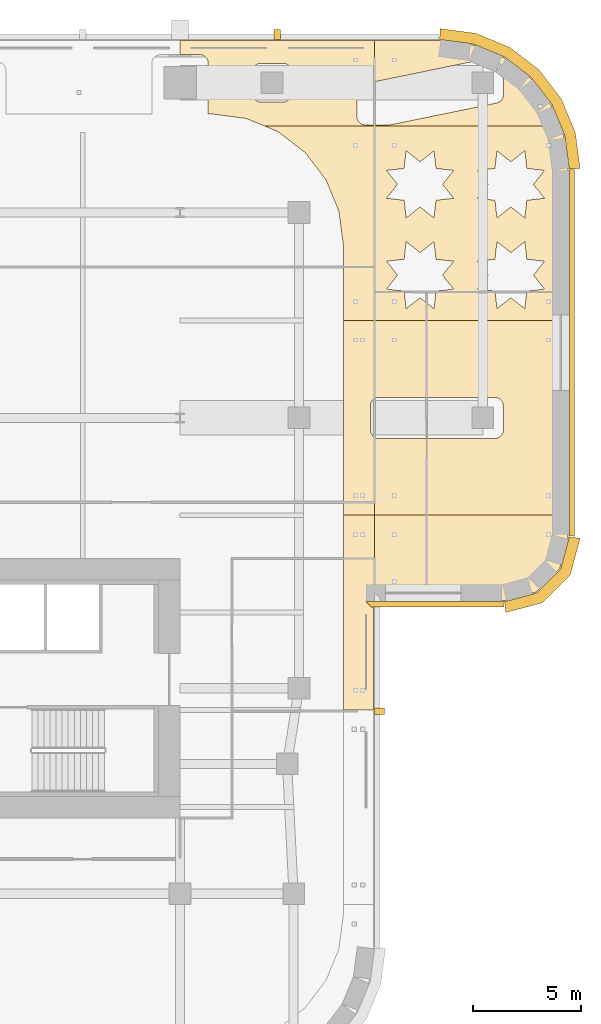
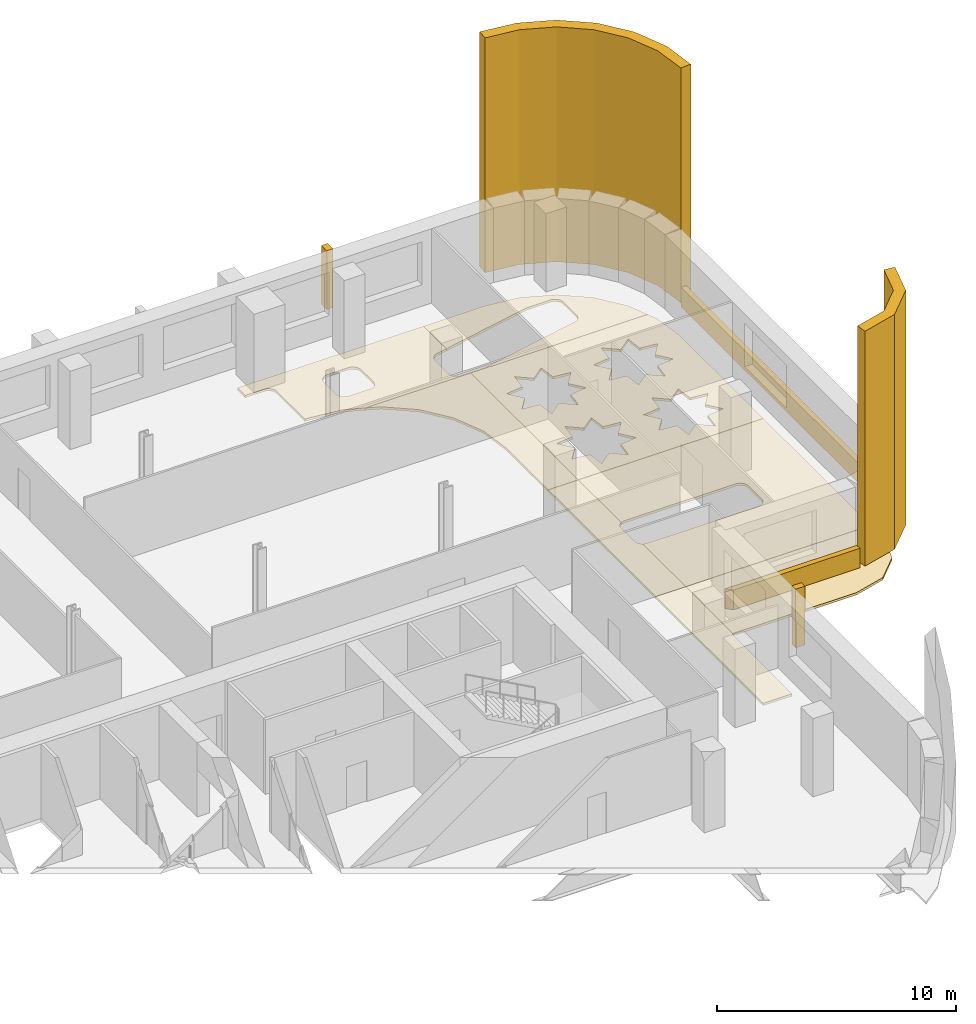
# One storey, part 13 of 13: 14 coverings.
"""IFC4 building model written with IfcOpenShell, lengths in metres."""

from ifc_helpers import new_model, si_unit, direction, frame, origin, place, context, subcontext, project, spatial, polyline, outline, extrude, material, layer, layer_set, type_object, element, save


model = new_model("IFC4")

# Units and contexts
model_context = context("Model", 3, precision=1e-05, world=origin(), true_north=direction((0.0, 1.0)))
body_context = subcontext(model_context, "Body", "Model", "MODEL_VIEW")
ifc_project = project(units=[si_unit("LENGTHUNIT", "METRE"), si_unit("AREAUNIT", "SQUARE_METRE"), si_unit("VOLUMEUNIT", "CUBIC_METRE"), si_unit("PLANEANGLEUNIT", "RADIAN"), si_unit("MASSUNIT", "GRAM", prefix="KILO")], contexts=[model_context])

# Site, building, storey
site_placement = place(None, origin())
site = spatial("IfcSite", under=ifc_project, at=site_placement, CompositionType="ELEMENT")
building_placement = place(site_placement, origin())
building = spatial("IfcBuilding", under=site, at=building_placement, Name="Zellij Exchange Tower", CompositionType="ELEMENT")
storey_placement = place(building_placement, frame((0.0, 0.0, 108.5)))
storey = spatial("IfcBuildingStorey", under=building, at=storey_placement, Name="L23", CompositionType="ELEMENT", Elevation=108.5)

# Coverings
ifc_material_1 = material(Name="Limestone cladding", Category="masonry")
ifc_layer_1 = layer(ifc_material_1, 0.5)
ifc_layer_set_1 = layer_set([ifc_layer_1], Name="Limestone cladding")
covering_type_1 = type_object("IfcCoveringType", Name="ENV-CV12 Stone corner pier 500", PredefinedType="CLADDING", material=ifc_layer_set_1)
covering_1_placement = place(storey_placement, origin())
element("IfcCovering", 1, at=covering_1_placement, inside=storey, type_object=covering_type_1, Name="Stone corner pier", PredefinedType="CLADDING", context=body_context, shape_type="SweptSolid", body=[
    extrude(outline(polyline([(42.0, -4.0), (43.5, -3.59814453125), (44.59814453125, -2.5), (45.0, -1.0), (45.5, -1.06591796875), (45.04638671875, -2.7587890625), (43.7587890625, -4.04638671875), (42.06591796875, -4.5), (42.0, -4.0)])), origin(), (0.0, 0.0, 1.0), 12.0),
])
covering_2_placement = place(storey_placement, origin())
element("IfcCovering", 2, at=covering_2_placement, inside=storey, type_object=covering_type_1, Name="Stone corner pier", PredefinedType="CLADDING", context=body_context, shape_type="SweptSolid", body=[
    extrude(outline(polyline([(45.0, 16.0), (44.795654296875, 17.552978515625), (44.1962890625, 19.0), (43.24267578125, 20.24267578125), (42.0, 21.1962890625), (40.552978515625, 21.795654296875), (39.0, 22.0), (39.03271484375, 22.5), (40.683349609375, 22.28271484375), (42.252197265625, 21.6328125), (43.59912109375, 20.59912109375), (44.6328125, 19.252197265625), (45.28271484375, 17.683349609375), (45.5, 16.03271484375), (45.0, 16.0)])), origin(), (0.0, 0.0, 1.0), 12.0),
])
covering_type_2 = type_object("IfcCoveringType", Name="ENV-CV7 Stone pier 300x450", PredefinedType="CLADDING", material=ifc_material_1)
covering_3_placement = place(storey_placement, frame((0.0, 0.0, 0.800048828125)))
element("IfcCovering", 3, at=covering_3_placement, inside=storey, type_object=covering_type_2, Name="Stone pier", PredefinedType="CLADDING", context=body_context, shape_type="SweptSolid", body=[
    extrude(outline(polyline([(36.0, -9.2080078125), (36.0, -8.907958984375), (36.449951171875, -8.907958984375), (36.449951171875, -9.2080078125), (36.0, -9.2080078125)])), origin(), (0.0, 0.0, 1.0), 3.0),
])
covering_4_placement = place(storey_placement, frame((0.0, 0.0, 0.800048828125)))
element("IfcCovering", 4, at=covering_4_placement, inside=storey, type_object=covering_type_2, Name="Stone pier", PredefinedType="CLADDING", context=body_context, shape_type="SweptSolid", body=[
    extrude(outline(polyline([(31.64990234375, 22.0), (31.35009765625, 22.0), (31.35009765625, 22.449951171875), (31.64990234375, 22.449951171875), (31.64990234375, 22.0)])), origin(), (0.0, 0.0, 1.0), 3.0),
])
ifc_layer_2 = layer(ifc_material_1, 0.25)
ifc_layer_set_2 = layer_set([ifc_layer_2], Name="Limestone cladding")
covering_type_3 = type_object("IfcCoveringType", Name="ENV-CV8 Stone spandrel band 250", PredefinedType="CLADDING", material=ifc_layer_set_2)
covering_5_placement = place(storey_placement, frame((0.0, 0.0, -0.199951171875)))
element("IfcCovering", 5, at=covering_5_placement, inside=storey, type_object=covering_type_3, Name="Stone spandrel band", PredefinedType="CLADDING", context=body_context, shape_type="SweptSolid", body=[
    extrude(outline(polyline([(35.60009765625, -4.0), (41.947265625, -4.0), (41.980224609375, -4.25), (35.85009765625, -4.25), (35.60009765625, -4.0)])), origin(), (0.0, 0.0, 1.0), 1.0),
])
covering_6_placement = place(storey_placement, frame((0.0, 0.0, -0.199951171875)))
element("IfcCovering", 6, at=covering_6_placement, inside=storey, type_object=covering_type_3, Name="Stone spandrel band", PredefinedType="CLADDING", context=body_context, shape_type="SweptSolid", body=[
    extrude(outline(polyline([(45.0, -0.947265625), (45.0, 15.973876953125), (45.25, 15.990234375), (45.25, -0.980224609375), (45.0, -0.947265625)])), origin(), (0.0, 0.0, 1.0), 1.0),
])
ifc_material_2 = material(Name="Limestone screen", Category="masonry")
ifc_layer_3 = layer(ifc_material_2, 0.1201171875)
ifc_layer_set_3 = layer_set([ifc_layer_3], Name="Limestone screen")
covering_type_4 = type_object("IfcCoveringType", Name="ENV-SC1 Pierced stone screen 120", PredefinedType="USERDEFINED", material=ifc_layer_set_3)
covering_7_placement = place(storey_placement, frame((0.0, 0.0, -1.77001953125)))
element("IfcCovering", 7, at=covering_7_placement, inside=storey, type_object=covering_type_4, Name="Pierced stone screen", ObjectType="SCREEN", PredefinedType="USERDEFINED", context=body_context, shape_type="SweptSolid", body=[
    extrude(outline(polyline([(34.550048828125, 0.0), (36.0, 0.0), (36.0, -3.949951171875), (35.9951171875, -3.9501953125), (35.990234375, -3.950927734375), (35.985595703125, -3.9521484375), (35.98095703125, -3.953857421875), (35.976318359375, -3.955810546875), (35.97216796875, -3.95849609375), (35.96826171875, -3.961181640625), (35.964599609375, -3.964599609375), (35.961181640625, -3.96826171875), (35.95849609375, -3.97216796875), (35.955810546875, -3.976318359375), (35.953857421875, -3.98095703125), (35.9521484375, -3.985595703125), (35.950927734375, -3.990234375), (35.9501953125, -3.9951171875), (35.949951171875, -4.0), (35.949951171875, -9.0), (34.550048828125, -9.0), (34.550048828125, 0.0)])), origin(), (0.0, 0.0, 1.0), 0.1201171875),
])
covering_8_placement = place(storey_placement, frame((0.0, 0.0, -1.77001953125)))
element("IfcCovering", 8, at=covering_8_placement, inside=storey, type_object=covering_type_4, Name="Pierced stone screen", ObjectType="SCREEN", PredefinedType="USERDEFINED", context=body_context, shape_type="SweptSolid", body=[
    extrude(outline(polyline([(34.550048828125, 9.0), (36.0, 9.0), (36.0, 5.39599609375), (35.977783203125, 5.382568359375), (35.9462890625, 5.359130859375), (35.917236328125, 5.332763671875), (35.890869140625, 5.3037109375), (35.867431640625, 5.272216796875), (35.84716796875, 5.238525390625), (35.830322265625, 5.203125), (35.817138671875, 5.166015625), (35.8076171875, 5.1279296875), (35.802001953125, 5.089111328125), (35.800048828125, 5.050048828125), (35.800048828125, 3.949951171875), (35.802001953125, 3.910888671875), (35.8076171875, 3.8720703125), (35.817138671875, 3.833984375), (35.830322265625, 3.796875), (35.84716796875, 3.761474609375), (35.867431640625, 3.727783203125), (35.890869140625, 3.6962890625), (35.917236328125, 3.667236328125), (35.9462890625, 3.640869140625), (35.977783203125, 3.617431640625), (36.0, 3.60400390625), (36.0, 0.0), (34.550048828125, 0.0), (34.550048828125, 9.0)])), origin(), (0.0, 0.0, 1.0), 0.1201171875),
])
covering_9_placement = place(storey_placement, frame((0.0, 0.0, -1.77001953125)))
element("IfcCovering", 9, at=covering_9_placement, inside=storey, type_object=covering_type_4, Name="Pierced stone screen", ObjectType="SCREEN", PredefinedType="USERDEFINED", context=body_context, shape_type="SweptSolid", body=[
    extrude(outline(polyline([(34.550048828125, 12.5), (34.549560546875, 12.506591796875), (34.34521484375, 14.059326171875), (34.344482421875, 14.063720703125), (34.34326171875, 14.06787109375), (34.341796875, 14.072021484375), (33.7421875, 15.51904296875), (33.740478515625, 15.523193359375), (33.73828125, 15.52685546875), (33.73583984375, 15.530517578125), (32.7822265625, 16.773193359375), (32.779541015625, 16.7763671875), (32.7763671875, 16.779541015625), (32.773193359375, 16.7822265625), (31.530517578125, 17.73583984375), (31.52685546875, 17.73828125), (31.523193359375, 17.740478515625), (31.51904296875, 17.7421875), (30.897216796875, 18.0), (36.0, 18.0), (36.0, 9.0), (34.550048828125, 9.0), (34.550048828125, 12.5)])), origin(), (0.0, 0.0, 1.0), 0.1201171875),
])
covering_10_placement = place(storey_placement, frame((0.0, 0.0, -1.77001953125)))
element("IfcCovering", 10, at=covering_10_placement, inside=storey, type_object=covering_type_4, Name="Pierced stone screen", ObjectType="SCREEN", PredefinedType="USERDEFINED", context=body_context, shape_type="SweptSolid", body=[
    extrude(outline(polyline([(30.072021484375, 18.341796875), (30.06787109375, 18.34326171875), (30.063720703125, 18.344482421875), (30.059326171875, 18.34521484375), (28.506591796875, 18.549560546875), (28.5, 18.550048828125), (28.300048828125, 18.550048828125), (28.300048828125, 20.89990234375), (28.298095703125, 20.939208984375), (28.292236328125, 20.97802734375), (28.28271484375, 21.01611328125), (28.26953125, 21.052978515625), (28.252685546875, 21.088623046875), (28.232666015625, 21.122314453125), (28.209228515625, 21.15380859375), (28.182861328125, 21.182861328125), (28.15380859375, 21.209228515625), (28.122314453125, 21.232666015625), (28.088623046875, 21.252685546875), (28.052978515625, 21.26953125), (28.01611328125, 21.28271484375), (27.97802734375, 21.292236328125), (27.939208984375, 21.298095703125), (27.89990234375, 21.300048828125), (27.0, 21.300048828125), (27.0, 21.949951171875), (36.0, 21.949951171875), (36.0, 20.04541015625), (35.49462890625, 19.94189453125), (35.456787109375, 19.93212890625), (35.419921875, 19.918701171875), (35.384765625, 19.90185546875), (35.351318359375, 19.881591796875), (35.320068359375, 19.858154296875), (35.291259765625, 19.831787109375), (35.264892578125, 19.802734375), (35.24169921875, 19.771484375), (35.2216796875, 19.73779296875), (35.205078125, 19.702392578125), (35.192138671875, 19.66552734375), (35.1826171875, 19.627685546875), (35.177001953125, 19.589111328125), (35.175048828125, 19.550048828125), (35.175048828125, 18.449951171875), (35.177001953125, 18.410888671875), (35.1826171875, 18.3720703125), (35.192138671875, 18.333984375), (35.205322265625, 18.296875), (35.22216796875, 18.261474609375), (35.242431640625, 18.227783203125), (35.265869140625, 18.1962890625), (35.292236328125, 18.167236328125), (35.3212890625, 18.140869140625), (35.352783203125, 18.117431640625), (35.386474609375, 18.09716796875), (35.421875, 18.080322265625), (35.458984375, 18.067138671875), (35.4970703125, 18.0576171875), (35.535888671875, 18.052001953125), (35.574951171875, 18.050048828125), (36.0, 18.050048828125), (36.0, 18.0), (30.897216796875, 18.0), (30.072021484375, 18.341796875)]), holes=[polyline([(30.596923828125, 19.13037109375), (30.6337890625, 19.1171875), (30.672119140625, 19.107666015625), (30.710693359375, 19.101806640625), (30.75, 19.10009765625), (31.75, 19.10009765625), (31.789306640625, 19.101806640625), (31.827880859375, 19.107666015625), (31.8662109375, 19.1171875), (31.903076171875, 19.13037109375), (31.938720703125, 19.147216796875), (31.97216796875, 19.16748046875), (32.00390625, 19.19091796875), (32.03271484375, 19.21728515625), (32.05908203125, 19.24609375), (32.08251953125, 19.27783203125), (32.102783203125, 19.311279296875), (32.11962890625, 19.346923828125), (32.1328125, 19.3837890625), (32.142333984375, 19.422119140625), (32.148193359375, 19.460693359375), (32.14990234375, 19.5), (32.14990234375, 20.5), (32.148193359375, 20.539306640625), (32.142333984375, 20.577880859375), (32.1328125, 20.6162109375), (32.11962890625, 20.653076171875), (32.102783203125, 20.688720703125), (32.08251953125, 20.72216796875), (32.05908203125, 20.75390625), (32.03271484375, 20.78271484375), (32.00390625, 20.80908203125), (31.97216796875, 20.83251953125), (31.938720703125, 20.852783203125), (31.903076171875, 20.86962890625), (31.8662109375, 20.8828125), (31.827880859375, 20.892333984375), (31.789306640625, 20.898193359375), (31.75, 20.89990234375), (30.75, 20.89990234375), (30.710693359375, 20.898193359375), (30.672119140625, 20.892333984375), (30.6337890625, 20.8828125), (30.596923828125, 20.86962890625), (30.561279296875, 20.852783203125), (30.52783203125, 20.83251953125), (30.49609375, 20.80908203125), (30.46728515625, 20.78271484375), (30.44091796875, 20.75390625), (30.41748046875, 20.72216796875), (30.397216796875, 20.688720703125), (30.38037109375, 20.653076171875), (30.3671875, 20.6162109375), (30.357666015625, 20.577880859375), (30.351806640625, 20.539306640625), (30.35009765625, 20.5), (30.35009765625, 19.5), (30.351806640625, 19.460693359375), (30.357666015625, 19.422119140625), (30.3671875, 19.3837890625), (30.38037109375, 19.346923828125), (30.397216796875, 19.311279296875), (30.41748046875, 19.27783203125), (30.44091796875, 19.24609375), (30.46728515625, 19.21728515625), (30.49609375, 19.19091796875), (30.52783203125, 19.16748046875), (30.561279296875, 19.147216796875), (30.596923828125, 19.13037109375)])]), origin(), (0.0, 0.0, 1.0), 0.1201171875),
])
covering_11_placement = place(storey_placement, frame((0.0, 0.0, -1.77001953125)))
element("IfcCovering", 11, at=covering_11_placement, inside=storey, type_object=covering_type_4, Name="Pierced stone screen", ObjectType="SCREEN", PredefinedType="USERDEFINED", context=body_context, shape_type="SweptSolid", body=[
    extrude(outline(polyline([(44.949951171875, -0.993408203125), (44.55322265625, -2.47412109375), (43.47412109375, -3.55322265625), (41.993408203125, -3.949951171875), (36.0, -3.949951171875), (36.0, 0.0), (44.949951171875, 0.0), (44.949951171875, -0.993408203125)])), origin(), (0.0, 0.0, 1.0), 0.1201171875),
])
covering_12_placement = place(storey_placement, frame((0.0, 0.0, -1.77001953125)))
element("IfcCovering", 12, at=covering_12_placement, inside=storey, type_object=covering_type_4, Name="Pierced stone screen", ObjectType="SCREEN", PredefinedType="USERDEFINED", context=body_context, shape_type="SweptSolid", body=[
    extrude(outline(polyline([(44.949951171875, 0.0), (36.0, 0.0), (36.0, 3.60400390625), (36.011474609375, 3.59716796875), (36.046875, 3.580322265625), (36.083984375, 3.567138671875), (36.1220703125, 3.5576171875), (36.160888671875, 3.552001953125), (36.199951171875, 3.550048828125), (41.550048828125, 3.550048828125), (41.589111328125, 3.552001953125), (41.6279296875, 3.5576171875), (41.666015625, 3.567138671875), (41.703125, 3.580322265625), (41.738525390625, 3.59716796875), (41.772216796875, 3.617431640625), (41.8037109375, 3.640869140625), (41.832763671875, 3.667236328125), (41.859130859375, 3.6962890625), (41.882568359375, 3.727783203125), (41.90283203125, 3.761474609375), (41.919677734375, 3.796875), (41.932861328125, 3.833984375), (41.9423828125, 3.8720703125), (41.947998046875, 3.910888671875), (41.949951171875, 3.949951171875), (41.949951171875, 5.050048828125), (41.947998046875, 5.089111328125), (41.9423828125, 5.1279296875), (41.932861328125, 5.166015625), (41.919677734375, 5.203125), (41.90283203125, 5.238525390625), (41.882568359375, 5.272216796875), (41.859130859375, 5.3037109375), (41.832763671875, 5.332763671875), (41.8037109375, 5.359130859375), (41.772216796875, 5.382568359375), (41.738525390625, 5.40283203125), (41.703125, 5.419677734375), (41.666015625, 5.432861328125), (41.6279296875, 5.4423828125), (41.589111328125, 5.447998046875), (41.550048828125, 5.449951171875), (36.199951171875, 5.449951171875), (36.160888671875, 5.447998046875), (36.1220703125, 5.4423828125), (36.083984375, 5.432861328125), (36.046875, 5.419677734375), (36.011474609375, 5.40283203125), (36.0, 5.39599609375), (36.0, 9.0), (44.949951171875, 9.0), (44.949951171875, 0.0)])), origin(), (0.0, 0.0, 1.0), 0.1201171875),
])
covering_13_placement = place(storey_placement, frame((0.0, 0.0, -1.77001953125)))
element("IfcCovering", 13, at=covering_13_placement, inside=storey, type_object=covering_type_4, Name="Pierced stone screen", ObjectType="SCREEN", PredefinedType="USERDEFINED", context=body_context, shape_type="SweptSolid", body=[
    extrude(outline(polyline([(44.746826171875, 17.539794921875), (44.949951171875, 15.99658203125), (44.949951171875, 9.0), (36.0, 9.0), (36.0, 18.0), (44.55615234375, 18.0), (44.746826171875, 17.539794921875)]), holes=[polyline([(39.652099609375, 11.742919921875), (38.83642578125, 11.83642578125), (38.742919921875, 12.652099609375), (38.10009765625, 12.1416015625), (37.45703125, 12.652099609375), (37.363525390625, 11.83642578125), (36.5478515625, 11.742919921875), (37.058349609375, 11.10009765625), (36.5478515625, 10.45703125), (37.363525390625, 10.363525390625), (37.45703125, 9.5478515625), (38.10009765625, 10.058349609375), (38.742919921875, 9.5478515625), (38.83642578125, 10.363525390625), (39.652099609375, 10.45703125), (39.1416015625, 11.10009765625), (39.652099609375, 11.742919921875)]), polyline([(39.652099609375, 15.94287109375), (38.83642578125, 16.03662109375), (38.742919921875, 16.85205078125), (38.10009765625, 16.341552734375), (37.45703125, 16.85205078125), (37.363525390625, 16.03662109375), (36.5478515625, 15.94287109375), (37.058349609375, 15.300048828125), (36.5478515625, 14.656982421875), (37.363525390625, 14.5634765625), (37.45703125, 13.747802734375), (38.10009765625, 14.25830078125), (38.742919921875, 13.747802734375), (38.83642578125, 14.5634765625), (39.652099609375, 14.656982421875), (39.1416015625, 15.300048828125), (39.652099609375, 15.94287109375)]), polyline([(43.85205078125, 11.742919921875), (43.03662109375, 11.83642578125), (42.94287109375, 12.652099609375), (42.300048828125, 12.1416015625), (41.656982421875, 12.652099609375), (41.5634765625, 11.83642578125), (40.747802734375, 11.742919921875), (41.25830078125, 11.10009765625), (40.747802734375, 10.45703125), (41.5634765625, 10.363525390625), (41.656982421875, 9.5478515625), (42.300048828125, 10.058349609375), (42.94287109375, 9.5478515625), (43.03662109375, 10.363525390625), (43.85205078125, 10.45703125), (43.341552734375, 11.10009765625), (43.85205078125, 11.742919921875)]), polyline([(43.85205078125, 15.94287109375), (43.03662109375, 16.03662109375), (42.94287109375, 16.85205078125), (42.300048828125, 16.341552734375), (41.656982421875, 16.85205078125), (41.5634765625, 16.03662109375), (40.747802734375, 15.94287109375), (41.25830078125, 15.300048828125), (40.747802734375, 14.656982421875), (41.5634765625, 14.5634765625), (41.656982421875, 13.747802734375), (42.300048828125, 14.25830078125), (42.94287109375, 13.747802734375), (43.03662109375, 14.5634765625), (43.85205078125, 14.656982421875), (43.341552734375, 15.300048828125), (43.85205078125, 15.94287109375)])]), origin(), (0.0, 0.0, 1.0), 0.1201171875),
])
covering_14_placement = place(storey_placement, frame((0.0, 0.0, -1.77001953125)))
element("IfcCovering", 14, at=covering_14_placement, inside=storey, type_object=covering_type_4, Name="Pierced stone screen", ObjectType="SCREEN", PredefinedType="USERDEFINED", context=body_context, shape_type="SweptSolid", body=[
    extrude(outline(polyline([(38.99658203125, 21.949951171875), (40.539794921875, 21.746826171875), (41.974853515625, 21.152587890625), (43.20703125, 20.20703125), (44.152587890625, 18.974853515625), (44.55615234375, 18.0), (36.0, 18.0), (36.0, 18.050048828125), (36.675048828125, 18.050048828125), (36.71533203125, 18.052001953125), (36.75537109375, 18.05810546875), (41.63037109375, 19.05810546875), (41.668212890625, 19.06787109375), (41.705078125, 19.081298828125), (41.740234375, 19.09814453125), (41.773681640625, 19.118408203125), (41.804931640625, 19.141845703125), (41.833740234375, 19.168212890625), (41.860107421875, 19.197265625), (41.88330078125, 19.228515625), (41.9033203125, 19.26220703125), (41.919921875, 19.297607421875), (41.932861328125, 19.33447265625), (41.9423828125, 19.372314453125), (41.947998046875, 19.410888671875), (41.949951171875, 19.449951171875), (41.949951171875, 20.550048828125), (41.947998046875, 20.589111328125), (41.9423828125, 20.6279296875), (41.932861328125, 20.666015625), (41.919677734375, 20.703125), (41.90283203125, 20.738525390625), (41.882568359375, 20.772216796875), (41.859130859375, 20.8037109375), (41.832763671875, 20.832763671875), (41.8037109375, 20.859130859375), (41.772216796875, 20.882568359375), (41.738525390625, 20.90283203125), (41.703125, 20.919677734375), (41.666015625, 20.932861328125), (41.6279296875, 20.9423828125), (41.589111328125, 20.947998046875), (41.550048828125, 20.949951171875), (40.449951171875, 20.949951171875), (40.40966796875, 20.947998046875), (40.36962890625, 20.94189453125), (36.0, 20.04541015625), (36.0, 21.949951171875), (38.99658203125, 21.949951171875)])), origin(), (0.0, 0.0, 1.0), 0.1201171875),
])

save(model, "model.ifc")
